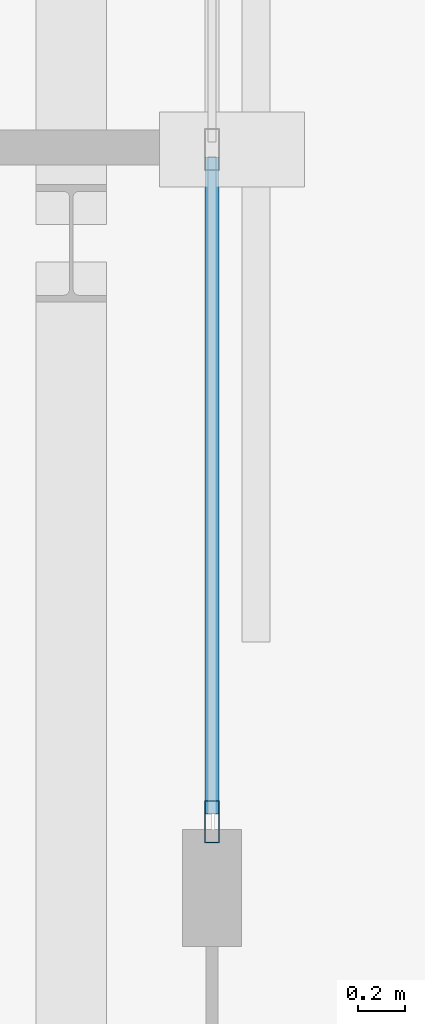
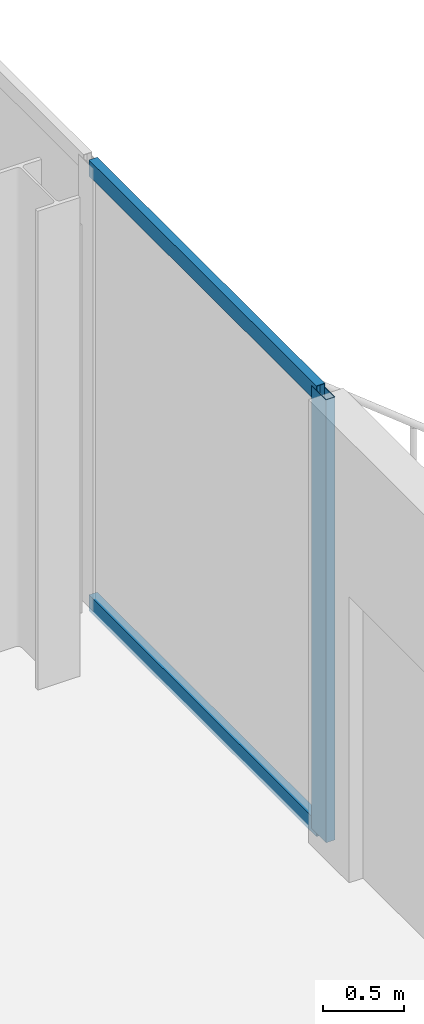
# One storey, part 14 of 23: 3 members, 1 element without a shape of its own.
"""IFC4 building model written with IfcOpenShell, lengths in metres."""

from ifc_helpers import new_model, si_unit, direction, frame, origin, origin_2d, place, context, subcontext, project, spatial, hollow_rectangle, extrude, material, layer, layer_set, material_profile, profile_set, type_object, element, aggregate, save


model = new_model("IFC4")

# Units and contexts
model_context = context("Model", 3, precision=1e-05, world=origin(), true_north=direction((0.0, 1.0)))
body_context = subcontext(model_context, "Body", "Model", "MODEL_VIEW")
ifc_project = project(units=[si_unit("LENGTHUNIT", "METRE"), si_unit("AREAUNIT", "SQUARE_METRE"), si_unit("VOLUMEUNIT", "CUBIC_METRE"), si_unit("PLANEANGLEUNIT", "RADIAN"), si_unit("MASSUNIT", "GRAM", prefix="KILO")], contexts=[model_context])

# Site, building, storey
site_placement = place(None, origin())
site = spatial("IfcSite", under=ifc_project, at=site_placement, CompositionType="ELEMENT")
building_placement = place(site_placement, origin())
building = spatial("IfcBuilding", under=site, at=building_placement, Name="Catumbela Crestline Tower", CompositionType="ELEMENT")
storey_placement = place(building_placement, frame((0.0, 0.0, 183.0)))
storey = spatial("IfcBuildingStorey", under=building, at=storey_placement, Name="L47", CompositionType="ELEMENT", Elevation=183.0)

# Curtain wall, members
ifc_material = material(Name="Aluminium alloy AW-6060-T66", Category="aluminium")
ifc_layer = layer(ifc_material, 0.18, Name="Aluminium alloy AW-6060-T66")
ifc_layer_set = layer_set([ifc_layer], Name="Aluminium alloy AW-6060-T66")
curtain_wall_type = type_object("IfcCurtainWallType", Name="CWU-Z3", PredefinedType="USERDEFINED", material=ifc_layer_set)
curtain_wall_placement = place(storey_placement, origin())
curtain_wall = element("IfcCurtainWall", 1, at=curtain_wall_placement, inside=storey, type_object=curtain_wall_type, Name="L47 Unitised Curtain Wall CW-L47-E5S2", ObjectType="UNITISED", PredefinedType="USERDEFINED")
ifc_material_profile_1 = material_profile(ifc_material, hollow_rectangle(XDim=0.065, YDim=0.18, WallThickness=0.004, at=origin_2d()), Name="ALU 180x65x4")
ifc_profile_set_1 = profile_set([ifc_material_profile_1], Name="Aluminium alloy AW-6060-T66")
member_type_1 = type_object("IfcMemberType", Name="MUL-180X65", PredefinedType="MULLION", material=ifc_profile_set_1)
member_1_placement = place(storey_placement, frame((51.0, 33.7325, 0.0), z_axis=(0.0, 0.0, 1.0), x_axis=(-1.0, 0.0, 0.0)))
member_1 = element("IfcMember", 2, at=member_1_placement, type_object=member_type_1, Name="CWU-Z3 mullion 1", PredefinedType="MULLION", context=body_context, shape_type="SweptSolid", body=[
    extrude(hollow_rectangle(XDim=0.065, YDim=0.18, WallThickness=0.004, at=origin_2d()), origin(), (0.0, 0.0, 1.0), 3.33),
])
ifc_material_profile_2 = material_profile(ifc_material, hollow_rectangle(XDim=0.06, YDim=0.12, WallThickness=0.0035, at=origin_2d()), Name="ALU 120x60x3.5")
ifc_profile_set_2 = profile_set([ifc_material_profile_2], Name="Aluminium alloy AW-6060-T66")
member_type_2 = type_object("IfcMemberType", Name="TRN-120X60", PredefinedType="USERDEFINED", material=ifc_profile_set_2)
member_2_placement = place(storey_placement, frame((51.0, 33.765, 0.03), z_axis=(0.0, 1.0, 0.0), x_axis=(-1.0, 0.0, 0.0)))
member_2 = element("IfcMember", 3, at=member_2_placement, type_object=member_type_2, Name="CWU-Z3 transom 1.1", ObjectType="TRANSOM", PredefinedType="USERDEFINED", context=body_context, shape_type="SweptSolid", body=[
    extrude(hollow_rectangle(XDim=0.06, YDim=0.12, WallThickness=0.0035, at=origin_2d()), origin(), (0.0, 0.0, 1.0), 2.8025),
])
member_3_placement = place(storey_placement, frame((51.0, 33.765, 3.3), z_axis=(0.0, 1.0, 0.0), x_axis=(-1.0, 0.0, 0.0)))
member_3 = element("IfcMember", 4, at=member_3_placement, type_object=member_type_2, Name="CWU-Z3 transom 1.2", ObjectType="TRANSOM", PredefinedType="USERDEFINED", context=body_context, shape_type="SweptSolid", body=[
    extrude(hollow_rectangle(XDim=0.06, YDim=0.12, WallThickness=0.0035, at=origin_2d()), origin(), (0.0, 0.0, 1.0), 2.8025),
])
aggregate(curtain_wall, [member_1, member_2, member_3])

save(model, "model.ifc")
